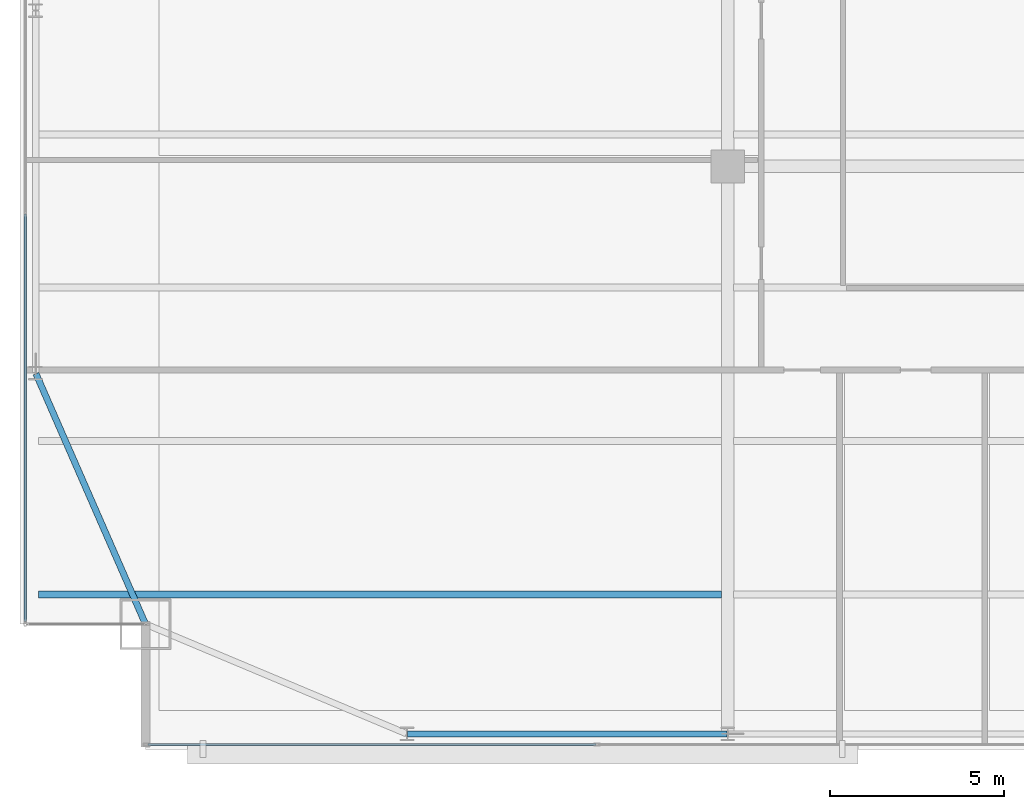
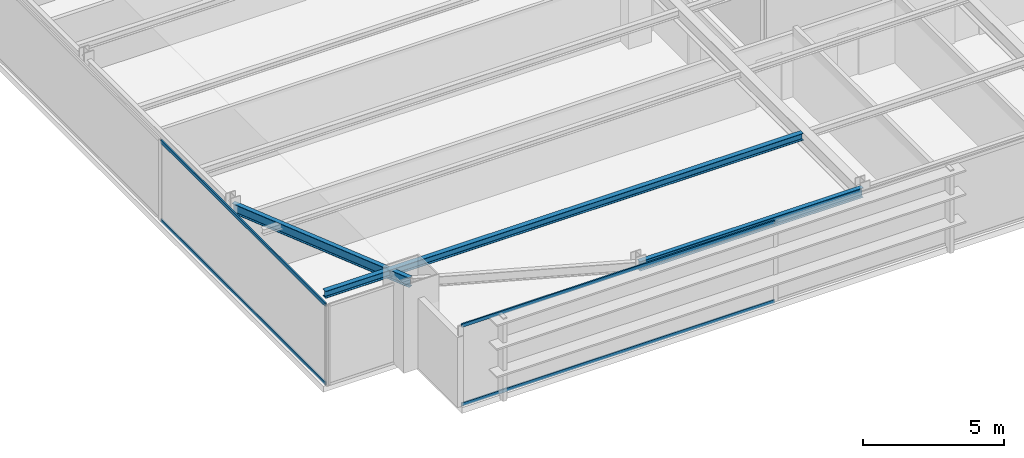
# One storey, part 5 of 33: 4 members, 3 beams, 2 elements without a shape of their own.
"""IFC4 building model written with IfcOpenShell, lengths in metres."""

from ifc_helpers import new_model, si_unit, direction, frame, origin, origin_2d, place, context, subcontext, project, spatial, hollow_rectangle, i_section, extrude, source, transform, mapped, material, layer, layer_set, material_profile, profile_set, type_object, type_shapes, element, aggregate, save


model = new_model("IFC4")

# Units and contexts
model_context = context("Model", 3, precision=1e-05, world=origin(), true_north=direction((0.0, 1.0)))
body_context = subcontext(model_context, "Body", "Model", "MODEL_VIEW")
ifc_project = project(units=[si_unit("LENGTHUNIT", "METRE"), si_unit("AREAUNIT", "SQUARE_METRE"), si_unit("VOLUMEUNIT", "CUBIC_METRE"), si_unit("PLANEANGLEUNIT", "RADIAN"), si_unit("MASSUNIT", "GRAM", prefix="KILO")], contexts=[model_context])

# Site, building, storey
site_placement = place(None, origin())
site = spatial("IfcSite", under=ifc_project, at=site_placement, CompositionType="ELEMENT")
building_placement = place(site_placement, origin())
building = spatial("IfcBuilding", under=site, at=building_placement, Name="Varnel Quay Broadcast Tower", CompositionType="ELEMENT")
storey_placement = place(building_placement, frame((0.0, 0.0, 137.199951171875)))
storey = spatial("IfcBuildingStorey", under=building, at=storey_placement, Name="L33", CompositionType="ELEMENT", Elevation=137.199951171875)

# Beams
ifc_material_1 = material(Name="Structural Steel CSA G40.21 350W", Category="steel")
ifc_material_profile_1 = material_profile(ifc_material_1, i_section(OverallWidth=0.180908203125, OverallDepth=0.4169921875, WebThickness=0.010986328125, FlangeThickness=0.018310546875, FilletRadius=0.011962890625, at=origin_2d()), Name="W410X85")
ifc_profile_set_1 = profile_set([ifc_material_profile_1], Name="Structural Steel CSA G40.21 350W")
beam_type_1 = type_object("IfcBeamType", Name="Beam_W410X85", PredefinedType="SPANDREL", material=ifc_profile_set_1)
shared_shape_1 = source(origin(), body_context, "Body", "SweptSolid", [
    extrude(i_section(OverallWidth=0.180908203125, OverallDepth=0.4169921875, WebThickness=0.010986328125, FlangeThickness=0.018310546875, FilletRadius=0.011962890625, at=origin_2d()), origin(), (0.0, 0.0, 1.0), 9.159912109375),
])
beam_1_placement = place(storey_placement, frame((15.6201171875, 4.64990234375, 3.271484375), z_axis=(1.0, 0.0, 0.0), x_axis=(0.0, 1.0, 0.0)))
element("IfcBeam", 1, at=beam_1_placement, inside=storey, type_object=beam_type_1, Name="L33 South Spandrel TC-S1-TC-S2", PredefinedType="SPANDREL", context=body_context, shape_type="MappedRepresentation", body=[
    mapped(shared_shape_1, transform((0.0, 0.0, 0.0), x_axis=(1.0, 0.0, 0.0), y_axis=(0.0, 1.0, 0.0), z_axis=(0.0, 0.0, 1.0), scale=1.0)),
])
shared_shape_2 = source(origin(), body_context, "Body", "SweptSolid", [
    extrude(i_section(OverallWidth=0.180908203125, OverallDepth=0.4169921875, WebThickness=0.010986328125, FlangeThickness=0.018310546875, FilletRadius=0.011962890625, at=origin_2d()), origin(), (0.0, 0.0, 1.0), 7.81884765625),
])
type_shapes(beam_type_1, [shared_shape_1, shared_shape_2])
beam_2_placement = place(storey_placement, frame((8.092041015625, 7.818359375, 3.271484375), z_axis=(-0.400827023998, 0.916153751743, 0.0), x_axis=(-0.916153751743, -0.400827023998, 0.0)))
element("IfcBeam", 2, at=beam_2_placement, inside=storey, type_object=beam_type_1, Name="L33 West Spandrel MC-SW-TC-W1", PredefinedType="SPANDREL", context=body_context, shape_type="MappedRepresentation", body=[
    mapped(shared_shape_2, transform((0.0, 0.0, 0.0), x_axis=(1.0, 0.0, 0.0), y_axis=(0.0, 1.0, 0.0), z_axis=(0.0, 0.0, 1.0), scale=1.0)),
])
ifc_material_profile_2 = material_profile(ifc_material_1, i_section(OverallWidth=0.202880859375, OverallDepth=0.302978515625, WebThickness=0.007568359375, FlangeThickness=0.01318359375, FilletRadius=0.011962890625, at=origin_2d()), Name="W310X60")
ifc_profile_set_2 = profile_set([ifc_material_profile_2], Name="Structural Steel CSA G40.21 350W")
beam_type_2 = type_object("IfcBeamType", Name="Beam_W310X60", PredefinedType="JOIST", material=ifc_profile_set_2)
shared_shape_3 = source(origin(), body_context, "Body", "SweptSolid", [
    extrude(i_section(OverallWidth=0.202880859375, OverallDepth=0.302978515625, WebThickness=0.007568359375, FlangeThickness=0.01318359375, FilletRadius=0.011962890625, at=origin_2d()), origin(), (0.0, 0.0, 1.0), 19.592041015625),
])
type_shapes(beam_type_2, [shared_shape_3])
beam_3_placement = place(storey_placement, frame((5.035400390625, 8.64990234375, 3.32861328125), z_axis=(1.0, 0.0, 0.0), x_axis=(0.0, 1.0, 0.0)))
element("IfcBeam", 3, at=beam_3_placement, inside=storey, type_object=beam_type_2, Name="L33 West Floor Joist 1", PredefinedType="JOIST", context=body_context, shape_type="MappedRepresentation", body=[
    mapped(shared_shape_3, transform((0.0, 0.0, 0.0), x_axis=(1.0, 0.0, 0.0), y_axis=(0.0, 1.0, 0.0), z_axis=(0.0, 0.0, 1.0), scale=1.0)),
])

# Curtain wall, members
ifc_material_2 = material(Name="Anodised Bronze Aluminium 6063-T6", Category="aluminium")
ifc_layer = layer(ifc_material_2, 0.18994140625, Name="Anodised Bronze Aluminium 6063-T6")
ifc_layer_set = layer_set([ifc_layer], Name="Anodised Bronze Aluminium 6063-T6")
curtain_wall_type = type_object("IfcCurtainWallType", Name="CW_LowerTower", PredefinedType="NOTDEFINED", material=ifc_layer_set)
curtain_wall_1_placement = place(storey_placement, origin())
curtain_wall_1 = element("IfcCurtainWall", 4, at=curtain_wall_1_placement, inside=storey, type_object=curtain_wall_type, Name="L33 West Unitised Curtain Wall", PredefinedType="NOTDEFINED")
ifc_material_profile_3 = material_profile(ifc_material_2, hollow_rectangle(XDim=0.06005859375, YDim=0.14501953125, WallThickness=0.00341796875, at=origin_2d()), Name="ALU60X145X3.5")
ifc_profile_set_3 = profile_set([ifc_material_profile_3], Name="Anodised Bronze Aluminium 6063-T6")
member_type = type_object("IfcMemberType", Name="Tran_CWS-02", PredefinedType="USERDEFINED", material=ifc_profile_set_3)
shared_shape_4 = source(origin(), body_context, "Body", "SweptSolid", [
    extrude(hollow_rectangle(XDim=0.06005859375, YDim=0.14501953125, WallThickness=0.00341796875, at=origin_2d()), origin(), (0.0, 0.0, 1.0), 11.69482421875),
])
member_1_placement = place(storey_placement, frame((4.64990234375, 7.8701171875, 0.030029296875), z_axis=(0.0, 1.0, 0.0), x_axis=(-1.0, 0.0, 0.0)))
member_1 = element("IfcMember", 5, at=member_1_placement, type_object=member_type, Name="CWS-02 transom 1.1", ObjectType="TRANSOM", PredefinedType="USERDEFINED", context=body_context, shape_type="MappedRepresentation", body=[
    mapped(shared_shape_4, transform((0.0, 0.0, 0.0), x_axis=(1.0, 0.0, 0.0), y_axis=(0.0, 1.0, 0.0), z_axis=(0.0, 0.0, 1.0), scale=1.0)),
])
member_2_placement = place(storey_placement, frame((4.64990234375, 7.8701171875, 3.449951171875), z_axis=(0.0, 1.0, 0.0), x_axis=(-1.0, 0.0, 0.0)))
member_2 = element("IfcMember", 6, at=member_2_placement, type_object=member_type, Name="CWS-02 transom 1.2", ObjectType="TRANSOM", PredefinedType="USERDEFINED", context=body_context, shape_type="MappedRepresentation", body=[
    mapped(shared_shape_4, transform((0.0, 0.0, 0.0), x_axis=(1.0, 0.0, 0.0), y_axis=(0.0, 1.0, 0.0), z_axis=(0.0, 0.0, 1.0), scale=1.0)),
])
aggregate(curtain_wall_1, [member_1, member_2])

curtain_wall_2_placement = place(storey_placement, origin())
curtain_wall_2 = element("IfcCurtainWall", 7, at=curtain_wall_2_placement, inside=storey, type_object=curtain_wall_type, Name="L33 South Unitised Curtain Wall 1", PredefinedType="NOTDEFINED")
shared_shape_5 = source(origin(), body_context, "Body", "SweptSolid", [
    extrude(hollow_rectangle(XDim=0.06005859375, YDim=0.14501953125, WallThickness=0.00341796875, at=origin_2d()), origin(), (0.0, 0.0, 1.0), 12.844970703125),
])
type_shapes(member_type, [shared_shape_4, shared_shape_5])
member_3_placement = place(storey_placement, frame((8.169921875, 4.35009765625, 0.030029296875), z_axis=(1.0, 0.0, 0.0), x_axis=(0.0, 1.0, 0.0)))
member_3 = element("IfcMember", 8, at=member_3_placement, type_object=member_type, Name="CWS-02 transom 1.1", ObjectType="TRANSOM", PredefinedType="USERDEFINED", context=body_context, shape_type="MappedRepresentation", body=[
    mapped(shared_shape_5, transform((0.0, 0.0, 0.0), x_axis=(1.0, 0.0, 0.0), y_axis=(0.0, 1.0, 0.0), z_axis=(0.0, 0.0, 1.0), scale=1.0)),
])
member_4_placement = place(storey_placement, frame((8.169921875, 4.35009765625, 3.449951171875), z_axis=(1.0, 0.0, 0.0), x_axis=(0.0, 1.0, 0.0)))
member_4 = element("IfcMember", 9, at=member_4_placement, type_object=member_type, Name="CWS-02 transom 1.2", ObjectType="TRANSOM", PredefinedType="USERDEFINED", context=body_context, shape_type="MappedRepresentation", body=[
    mapped(shared_shape_5, transform((0.0, 0.0, 0.0), x_axis=(1.0, 0.0, 0.0), y_axis=(0.0, 1.0, 0.0), z_axis=(0.0, 0.0, 1.0), scale=1.0)),
])
aggregate(curtain_wall_2, [member_3, member_4])

save(model, "model.ifc")
